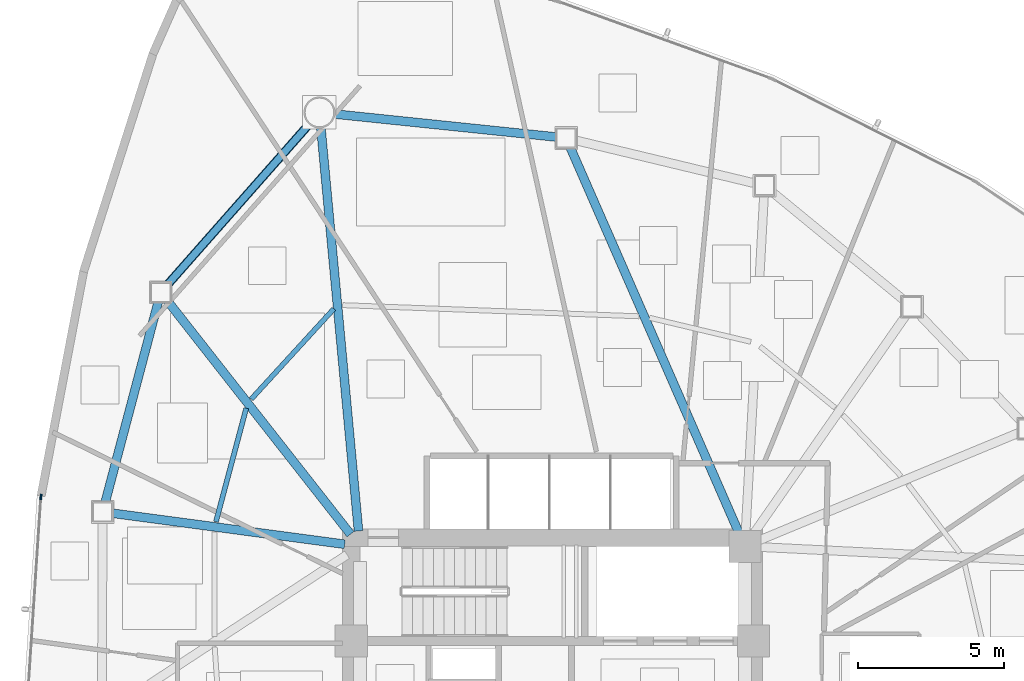
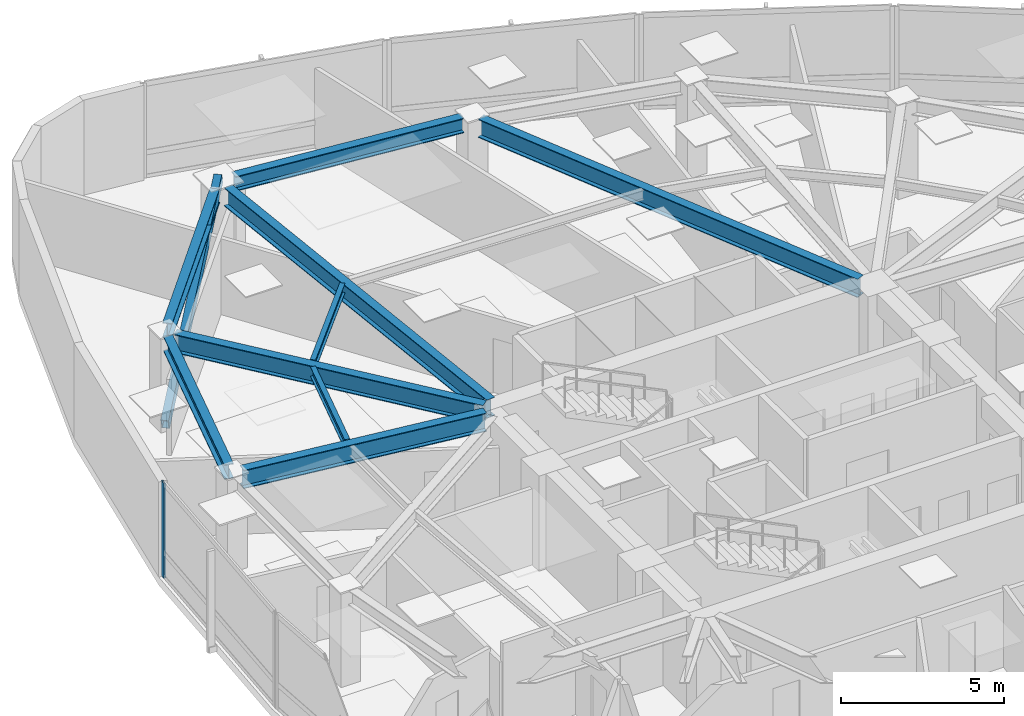
# One storey, part 7 of 18: 9 beams, 2 members, 1 element without a shape of its own.
"""IFC4 building model written with IfcOpenShell, lengths in metres."""

from ifc_helpers import new_model, si_unit, direction, frame, origin, origin_2d, place, context, subcontext, project, spatial, hollow_rectangle, i_section, extrude, source, transform, mapped, material, layer, layer_set, material_profile, profile_set, type_object, type_shapes, element, aggregate, save


model = new_model("IFC4")

# Units and contexts
model_context = context("Model", 3, precision=1e-05, world=origin(), true_north=direction((0.0, 1.0)))
body_context = subcontext(model_context, "Body", "Model", "MODEL_VIEW")
ifc_project = project(units=[si_unit("LENGTHUNIT", "METRE"), si_unit("AREAUNIT", "SQUARE_METRE"), si_unit("VOLUMEUNIT", "CUBIC_METRE"), si_unit("PLANEANGLEUNIT", "RADIAN"), si_unit("MASSUNIT", "GRAM", prefix="KILO")], contexts=[model_context])

# Site, building, storey
site_placement = place(None, origin())
site = spatial("IfcSite", under=ifc_project, at=site_placement, CompositionType="ELEMENT")
building_placement = place(site_placement, origin())
building = spatial("IfcBuilding", under=site, at=building_placement, Name="Tavelor Broadcast Tower", CompositionType="ELEMENT")
storey_placement = place(building_placement, frame((0.0, 0.0, 157.949951171875)))
storey = spatial("IfcBuildingStorey", under=building, at=storey_placement, Name="L37", CompositionType="ELEMENT", Elevation=157.949951171875)

# Beams
ifc_material_1 = material(Name="Steel S355", Category="steel")
ifc_material_profile_1 = material_profile(ifc_material_1, i_section(OverallWidth=0.169921875, OverallDepth=0.360107421875, WebThickness=0.008056640625, FlangeThickness=0.0126953125, at=origin_2d()), Name="IPE 360")
ifc_profile_set_1 = profile_set([ifc_material_profile_1], Name="Steel S355")
beam_type_1 = type_object("IfcBeamType", Name="Composite Floor Joist T3 IPE 360", PredefinedType="JOIST", material=ifc_profile_set_1)
beam_1_placement = place(storey_placement, frame((42.505126953125, 59.344970703125, 3.3701171875), z_axis=(-0.675177020038, -0.737655740581, 0.0), x_axis=(0.737655740581, -0.675177020038, 0.0)))
element("IfcBeam", 1, at=beam_1_placement, inside=storey, type_object=beam_type_1, Name="L37 Secondary Composite Floor Joist 01", PredefinedType="JOIST", context=body_context, shape_type="SweptSolid", body=[
    extrude(i_section(OverallWidth=0.169921875, OverallDepth=0.360107421875, WebThickness=0.008056640625, FlangeThickness=0.0126953125, at=origin_2d()), origin(), (0.0, 0.0, 1.0), 4.20068359375),
])
beam_2_placement = place(storey_placement, frame((39.5, 55.937744140625, 3.3701171875), z_axis=(-0.257647578953, -0.966238958571, 0.0), x_axis=(0.966238958571, -0.257647578953, 0.0)))
element("IfcBeam", 2, at=beam_2_placement, inside=storey, type_object=beam_type_1, Name="L37 Secondary Composite Floor Joist 02", PredefinedType="JOIST", context=body_context, shape_type="SweptSolid", body=[
    extrude(i_section(OverallWidth=0.169921875, OverallDepth=0.360107421875, WebThickness=0.008056640625, FlangeThickness=0.0126953125, at=origin_2d()), origin(), (0.0, 0.0, 1.0), 4.032958984375),
])
ifc_material_profile_2 = material_profile(ifc_material_1, i_section(OverallWidth=0.300048828125, OverallDepth=0.550048828125, WebThickness=0.014892578125, FlangeThickness=0.029052734375, at=origin_2d()), Name="HEB 550")
ifc_profile_set_2 = profile_set([ifc_material_profile_2], Name="Steel S355")
beam_type_2 = type_object("IfcBeamType", Name="Perimeter Spandrel Beam T3 HEB 550", PredefinedType="SPANDREL", material=ifc_profile_set_2)
beam_3_placement = place(storey_placement, frame((41.67236328125, 65.69580078125, 3.275146484375), z_axis=(-0.661628202511, -0.749832062292, 0.0), x_axis=(0.749832062292, -0.661628202511, 0.0)))
element("IfcBeam", 3, at=beam_3_placement, inside=storey, type_object=beam_type_2, Name="L37 Framed-Tube Ring Spandrel 01", PredefinedType="SPANDREL", context=body_context, shape_type="SweptSolid", body=[
    extrude(i_section(OverallWidth=0.300048828125, OverallDepth=0.550048828125, WebThickness=0.014892578125, FlangeThickness=0.029052734375, at=origin_2d()), origin(), (0.0, 0.0, 1.0), 7.379150390625),
])
beam_4_placement = place(storey_placement, frame((36.481689453125, 59.5859375, 3.275146484375), z_axis=(-0.255779440044, -0.966735164381, 0.0), x_axis=(0.966735164381, -0.255779440044, 0.0)))
element("IfcBeam", 4, at=beam_4_placement, inside=storey, type_object=beam_type_2, Name="L37 Framed-Tube Ring Spandrel 02", PredefinedType="SPANDREL", context=body_context, shape_type="SweptSolid", body=[
    extrude(i_section(OverallWidth=0.300048828125, OverallDepth=0.550048828125, WebThickness=0.014892578125, FlangeThickness=0.029052734375, at=origin_2d()), origin(), (0.0, 0.0, 1.0), 7.11865234375),
])
beam_5_placement = place(storey_placement, frame((50.13818359375, 65.23681640625, 3.275146484375), z_axis=(-0.994661371522, 0.103192809834, 0.0), x_axis=(-0.103192809834, -0.994661371522, 0.0)))
element("IfcBeam", 5, at=beam_5_placement, inside=storey, type_object=beam_type_2, Name="L37 Framed-Tube Ring Spandrel 18", PredefinedType="SPANDREL", context=body_context, shape_type="SweptSolid", body=[
    extrude(i_section(OverallWidth=0.300048828125, OverallDepth=0.550048828125, WebThickness=0.014892578125, FlangeThickness=0.029052734375, at=origin_2d()), origin(), (0.0, 0.0, 1.0), 7.658203125),
])

# Member
ifc_material_profile_3 = material_profile(ifc_material_1, hollow_rectangle(XDim=0.25, YDim=0.449951171875, WallThickness=0.02001953125, at=origin_2d()), Name="RHS 450x250x20")
ifc_profile_set_3 = profile_set([ifc_material_profile_3], Name="Steel S355")
member_type_1 = type_object("IfcMemberType", Name="Perimeter Tube Brace T3 RHS 450x250x20", PredefinedType="BRACE", material=ifc_profile_set_3)
member_1_placement = place(storey_placement, frame((36.567626953125, 59.91064453125, 0.0), z_axis=(0.607484590691, 0.688484352459, 0.396171387776), x_axis=(-0.74983872131, 0.661620655681, 0.0)))
element("IfcMember", 6, at=member_1_placement, inside=storey, type_object=member_type_1, Name="L37 Corner Tube Diagonal Brace 1", PredefinedType="BRACE", context=body_context, shape_type="SweptSolid", body=[
    extrude(hollow_rectangle(XDim=0.25, YDim=0.449951171875, WallThickness=0.02001953125, at=origin_2d()), origin(), (0.0, 0.0, 1.0), 8.9609375),
])

# Beams
ifc_material_profile_4 = material_profile(ifc_material_1, i_section(OverallWidth=0.300048828125, OverallDepth=0.68994140625, WebThickness=0.014404296875, FlangeThickness=0.027099609375, at=origin_2d()), Name="HEA 700")
ifc_profile_set_4 = profile_set([ifc_material_profile_4], Name="Steel S355")
beam_type_3 = type_object("IfcBeamType", Name="Radial Floor Girder T3 HEA 700", PredefinedType="BEAM", material=ifc_profile_set_4)
beam_6_placement = place(storey_placement, frame((43.350830078125, 51.7255859375, 3.205078125), z_axis=(-0.092918079293, 0.995673757081, 0.0), x_axis=(-0.995673757081, -0.092918079293, 0.0)))
element("IfcBeam", 7, at=beam_6_placement, inside=storey, type_object=beam_type_3, Name="L37 Radial Primary Floor Girder 01", PredefinedType="BEAM", context=body_context, shape_type="SweptSolid", body=[
    extrude(i_section(OverallWidth=0.300048828125, OverallDepth=0.68994140625, WebThickness=0.014404296875, FlangeThickness=0.027099609375, at=origin_2d()), origin(), (0.0, 0.0, 1.0), 13.904541015625),
])
beam_7_placement = place(storey_placement, frame((43.07421875, 51.615478515625, 3.205078125), z_axis=(-0.617166360417, 0.786832690964, 0.0), x_axis=(-0.786832690964, -0.617166360417, 0.0)))
element("IfcBeam", 8, at=beam_7_placement, inside=storey, type_object=beam_type_3, Name="L37 Radial Primary Floor Girder 02", PredefinedType="BEAM", context=body_context, shape_type="SweptSolid", body=[
    extrude(i_section(OverallWidth=0.300048828125, OverallDepth=0.68994140625, WebThickness=0.014404296875, FlangeThickness=0.027099609375, at=origin_2d()), origin(), (0.0, 0.0, 1.0), 10.20654296875),
])
beam_8_placement = place(storey_placement, frame((42.876708984375, 51.27001953125, 3.205078125), z_axis=(-0.991191527329, 0.132436234281, 0.0), x_axis=(-0.132436234281, -0.991191527329, 0.0)))
element("IfcBeam", 9, at=beam_8_placement, inside=storey, type_object=beam_type_3, Name="L37 Radial Primary Floor Girder 03", PredefinedType="BEAM", context=body_context, shape_type="SweptSolid", body=[
    extrude(i_section(OverallWidth=0.300048828125, OverallDepth=0.68994140625, WebThickness=0.014404296875, FlangeThickness=0.027099609375, at=origin_2d()), origin(), (0.0, 0.0, 1.0), 8.039306640625),
])
beam_9_placement = place(storey_placement, frame((56.38818359375, 51.68359375, 3.205078125), z_axis=(-0.400896102053, 0.916123526255, 0.0), x_axis=(-0.916123526255, -0.400896102053, 0.0)))
element("IfcBeam", 10, at=beam_9_placement, inside=storey, type_object=beam_type_3, Name="L37 Radial Primary Floor Girder 18", PredefinedType="BEAM", context=body_context, shape_type="SweptSolid", body=[
    extrude(i_section(OverallWidth=0.300048828125, OverallDepth=0.68994140625, WebThickness=0.014404296875, FlangeThickness=0.027099609375, at=origin_2d()), origin(), (0.0, 0.0, 1.0), 14.420166015625),
])

# Curtain wall, member
ifc_material_2 = material(Name="Architectural Anodized Aluminium", Category="aluminium")
ifc_layer = layer(ifc_material_2, 0.18994140625)
ifc_layer_set = layer_set([ifc_layer], Name="Architectural Anodized Aluminium")
curtain_wall_type = type_object("IfcCurtainWallType", Name="Tower Mid-Zone Acoustic Curtain Wall CW03", PredefinedType="NOTDEFINED", material=ifc_layer_set)
curtain_wall_placement = place(storey_placement, origin())
curtain_wall = element("IfcCurtainWall", 11, at=curtain_wall_placement, inside=storey, type_object=curtain_wall_type, Name="L37 Curtain Wall CW03 Run 385", PredefinedType="NOTDEFINED")
ifc_material_profile_5 = material_profile(ifc_material_2, hollow_rectangle(XDim=0.068115234375, YDim=0.18994140625, WallThickness=0.02197265625, at=origin_2d()), Name="RHS 68x190x22")
ifc_profile_set_5 = profile_set([ifc_material_profile_5], Name="Architectural Anodized Aluminium")
member_type_2 = type_object("IfcMemberType", Name="CW03 Extruded Aluminium Mullion 68x190", PredefinedType="MULLION", material=ifc_profile_set_5)
shared_shape = source(origin(), body_context, "Body", "SweptSolid", [
    extrude(hollow_rectangle(XDim=0.068115234375, YDim=0.18994140625, WallThickness=0.02197265625, at=origin_2d()), origin(), (0.0, 0.0, 1.0), 3.550048828125),
])
type_shapes(member_type_2, [shared_shape])
member_2_placement = place(storey_placement, frame((32.458984375, 52.89697265625, 0.0), z_axis=(0.0, 0.0, 1.0), x_axis=(0.997829691462, -0.065847603119, 0.0)))
member_2 = element("IfcMember", 12, at=member_2_placement, type_object=member_type_2, Name="CW03 mullion 1", PredefinedType="MULLION", context=body_context, shape_type="MappedRepresentation", body=[
    mapped(shared_shape, transform((0.0, 0.0, 0.0), scale=1.0)),
])
aggregate(curtain_wall, [member_2])

save(model, "model.ifc")
